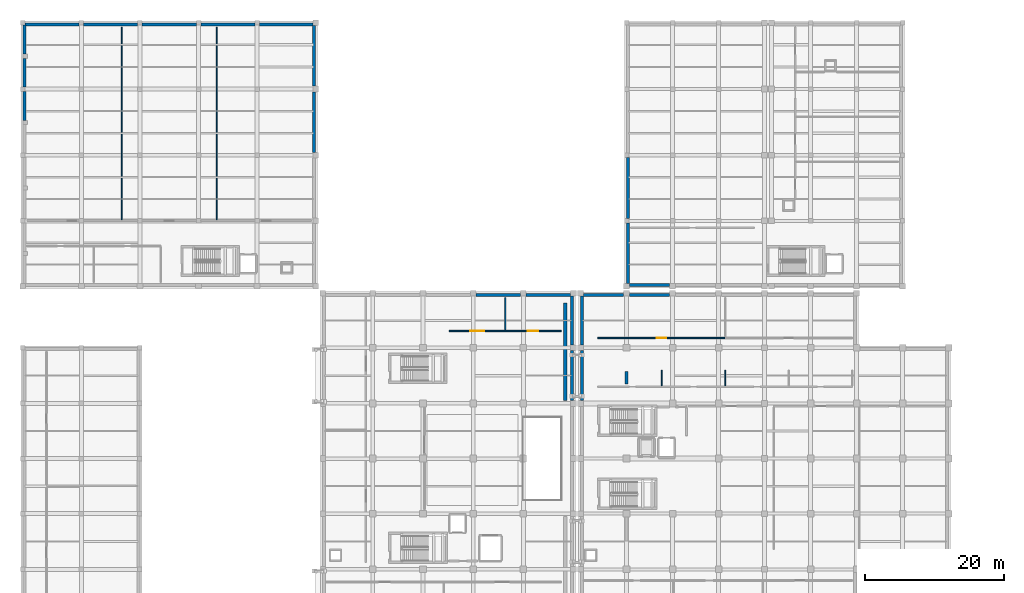
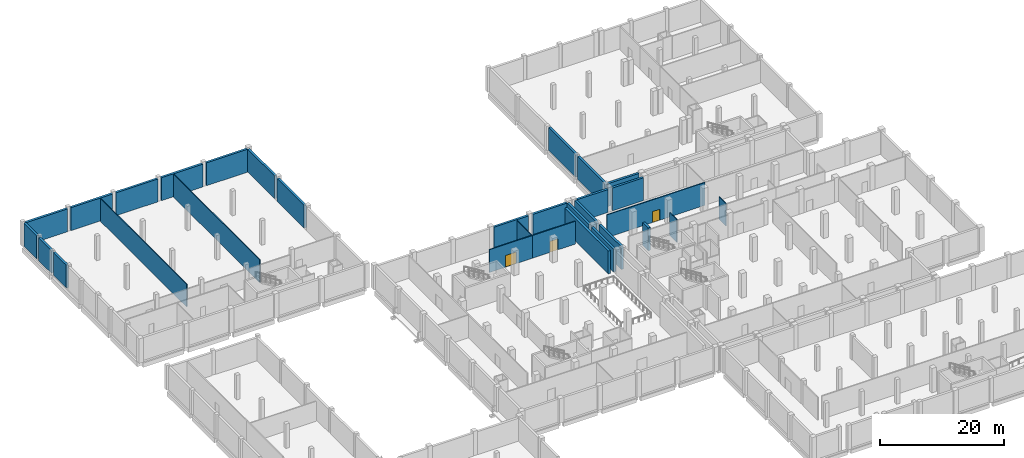
# One storey, part 17 of 31: 31 walls, 3 doors, 3 openings.
"""IFC4 building model written with IfcOpenShell, lengths in metres."""

from ifc_helpers import new_model, si_unit, direction, frame, frame_2d, origin, place, context, subcontext, project, spatial, rectangle, extrude, material, layer, layer_set, type_object, element, fill, save


model = new_model("IFC4")

# Units and contexts
model_context = context("Model", 3, precision=1e-05, world=origin(), true_north=direction((0.0, 1.0)))
body_context = subcontext(model_context, "Body", "Model", "MODEL_VIEW")
ifc_project = project(units=[si_unit("LENGTHUNIT", "METRE"), si_unit("AREAUNIT", "SQUARE_METRE"), si_unit("VOLUMEUNIT", "CUBIC_METRE"), si_unit("PLANEANGLEUNIT", "RADIAN"), si_unit("MASSUNIT", "GRAM", prefix="KILO")], contexts=[model_context])

# Site, building, storey
site_placement = place(None, origin())
site = spatial("IfcSite", under=ifc_project, at=site_placement, CompositionType="ELEMENT")
building_placement = place(site_placement, origin())
building = spatial("IfcBuilding", under=site, at=building_placement, Name="Kelarvand Opera House", CompositionType="ELEMENT")
storey_placement = place(building_placement, frame((0.0, 0.0, -4.800048828125)))
storey = spatial("IfcBuildingStorey", under=building, at=storey_placement, Name="B1", CompositionType="ELEMENT", Elevation=-4.800048828125)

# Walls
ifc_material_1 = material(Name="Concrete C40/50", Category="concrete")
ifc_layer_1 = layer(ifc_material_1, 0.449951171875, Name="Concrete C40/50", Category="concrete")
ifc_layer_set_1 = layer_set([ifc_layer_1], Name="Concrete C40/50")
wall_type_1 = type_object("IfcWallType", Name="Acoustic Proscenium Shear Wall 450", PredefinedType="SHEAR", material=ifc_layer_set_1)
wall_1_placement = place(storey_placement, frame((86.800048828125, 70.800048828125, 0.0), z_axis=(0.0, 0.0, 1.0), x_axis=(0.0, 1.0, 0.0)))
element("IfcWall", 1, at=wall_1_placement, inside=storey, type_object=wall_type_1, Name="V2 Shear Wall PW-120 B1", PredefinedType="SHEAR", context=body_context, shape_type="SweptSolid", body=[
    extrude(rectangle(XDim=14.0, YDim=0.449951171875, at=frame_2d((7.0, 0.0))), origin(), (0.0, 0.0, 1.0), 4.47998046875),
])
ifc_material_2 = material(Name="Acoustic double-stud gypsum partition")
ifc_layer_2 = layer(ifc_material_2, 0.14990234375, Name="Acoustic double-stud gypsum partition")
ifc_layer_set_2 = layer_set([ifc_layer_2], Name="Acoustic double-stud gypsum partition")
wall_type_2 = type_object("IfcWallType", Name="Acoustic Room Partition Wall 150", PredefinedType="PARTITIONING", material=ifc_layer_set_2)
for number, where, z_axis, x_axis, name in (
    (2, (100.625, 72.93994140625, 0.0), (0.0, 0.0, 1.0), (0.0, 1.0, 0.0), "V1 B1 Partition Wall IW-150 (154)"),
    (3, (109.75, 72.93994140625, 0.0), (0.0, 0.0, 1.0), (0.0, 1.0, 0.0), "V1 B1 Partition Wall IW-150 (156)"),
):
    element("IfcWall", number, at=place(storey_placement, frame(where, z_axis=z_axis, x_axis=x_axis)), inside=storey, type_object=wall_type_2, Name=name, PredefinedType="PARTITIONING", context=body_context, shape_type="SweptSolid", body=[
        extrude(rectangle(XDim=2.260009765625, YDim=0.14990234375, at=frame_2d((1.1298828125, 0.0))), origin(), (0.0, 0.0, 1.0), 4.47216796875),
    ])
wall_2_placement = place(storey_placement, frame((78.199951171875, 80.93994140625, 0.0), z_axis=(0.0, 0.0, 1.0), x_axis=(0.0, 1.0, 0.0)))
element("IfcWall", 4, at=wall_2_placement, inside=storey, type_object=wall_type_2, Name="V2 B1 Partition Wall IW-150 (175)", PredefinedType="PARTITIONING", context=body_context, shape_type="SweptSolid", body=[
    extrude(rectangle(XDim=4.66015625, YDim=0.14990234375, at=frame_2d((2.330078125, 0.0))), origin(), (0.0, 0.0, 1.0), 4.47216796875),
])
for number, where, z_axis, x_axis, name in (
    (5, (23.199951171875, 96.739990234375, 0.0), (0.0, 0.0, 1.0), (0.0, 1.0, 0.0), "V3 B1 Partition Wall IW-150 (182)"),
    (6, (36.800048828125, 96.739990234375, 0.0), (0.0, 0.0, 1.0), (0.0, 1.0, 0.0), "V3 B1 Partition Wall IW-150 (186)"),
):
    element("IfcWall", number, at=place(storey_placement, frame(where, z_axis=z_axis, x_axis=x_axis)), inside=storey, type_object=wall_type_2, Name=name, PredefinedType="PARTITIONING", context=body_context, shape_type="SweptSolid", body=[
        extrude(rectangle(XDim=27.659912109375, YDim=0.14990234375, at=frame_2d((13.830078125, 0.0))), origin(), (0.0, 0.0, 1.0), 4.491943359375),
    ])
ifc_material_3 = material(Name="Concrete C35/45", Category="concrete")
ifc_layer_3 = layer(ifc_material_3, 0.419921875, Name="Concrete C35/45", Category="concrete")
ifc_layer_set_3 = layer_set([ifc_layer_3], Name="Concrete C35/45")
wall_type_3 = type_object("IfcWallType", Name="Basement Perimeter Retaining Wall 420", PredefinedType="SHEAR", material=ifc_layer_set_3)
wall_3_placement = place(storey_placement, frame((89.2099609375, 70.81005859375, 0.0), z_axis=(0.0, 0.0, 1.0), x_axis=(0.0, 1.0, 0.0)))
element("IfcWall", 7, at=wall_3_placement, inside=storey, type_object=wall_type_3, Name="V1 B1 Retaining Wall 39", PredefinedType="SHEAR", context=body_context, shape_type="SweptSolid", body=[
    extrude(rectangle(XDim=7.179931640625, YDim=0.419921875, at=frame_2d((3.58984375, 0.0))), origin(), (0.0, 0.0, 1.0), 4.5),
])
wall_4_placement = place(storey_placement, frame((89.2099609375, 78.81005859375, 0.0), z_axis=(0.0, 0.0, 1.0), x_axis=(0.0, 1.0, 0.0)))
element("IfcWall", 8, at=wall_4_placement, inside=storey, type_object=wall_type_3, Name="V1 B1 Retaining Wall 40", PredefinedType="SHEAR", context=body_context, shape_type="SweptSolid", body=[
    extrude(rectangle(XDim=6.97998046875, YDim=0.419921875, at=frame_2d((3.489990234375, 0.0))), origin(), (0.0, 0.0, 1.0), 4.5),
])
for number, where, z_axis, x_axis, name in (
    (9, (89.409912109375, 85.989990234375, 0.0), (0.0, 0.0, 1.0), (1.0, 0.0, 0.0), "V1 B1 Retaining Wall 41"),
    (10, (96.010009765625, 85.989990234375, 0.0), (0.0, 0.0, 1.0), (1.0, 0.0, 0.0), "V1 B1 Retaining Wall 42"),
):
    element("IfcWall", number, at=place(storey_placement, frame(where, z_axis=z_axis, x_axis=x_axis)), inside=storey, type_object=wall_type_3, Name=name, PredefinedType="SHEAR", context=body_context, shape_type="SweptSolid", body=[
        extrude(rectangle(XDim=5.780029296875, YDim=0.419921875, at=frame_2d((2.89013671875, 0.0))), origin(), (0.0, 0.0, 1.0), 4.5),
    ])
wall_5_placement = place(storey_placement, frame((87.7900390625, 85.7900390625, 0.0), z_axis=(0.0, 0.0, 1.0), x_axis=(0.0, -1.0, 0.0)))
element("IfcWall", 11, at=wall_5_placement, inside=storey, type_object=wall_type_3, Name="V2 B1 Retaining Wall 198", PredefinedType="SHEAR", context=body_context, shape_type="SweptSolid", body=[
    extrude(rectangle(XDim=6.97998046875, YDim=0.419921875, at=frame_2d((3.489990234375, 0.0))), origin(), (0.0, 0.0, 1.0), 4.5),
])
wall_6_placement = place(storey_placement, frame((87.7900390625, 77.989990234375, 0.0), z_axis=(0.0, 0.0, 1.0), x_axis=(0.0, -1.0, 0.0)))
element("IfcWall", 12, at=wall_6_placement, inside=storey, type_object=wall_type_3, Name="V2 B1 Retaining Wall 199", PredefinedType="SHEAR", context=body_context, shape_type="SweptSolid", body=[
    extrude(rectangle(XDim=7.179931640625, YDim=0.419921875, at=frame_2d((3.58984375, 0.0))), origin(), (0.0, 0.0, 1.0), 4.5),
])
wall_7_placement = place(storey_placement, frame((74.010009765625, 85.989990234375, 0.0), z_axis=(0.0, 0.0, 1.0), x_axis=(1.0, 0.0, 0.0)))
element("IfcWall", 13, at=wall_7_placement, inside=storey, type_object=wall_type_3, Name="V2 B1 Retaining Wall 207", PredefinedType="SHEAR", context=body_context, shape_type="SweptSolid", body=[
    extrude(rectangle(XDim=6.3798828125, YDim=0.419921875, at=frame_2d((3.18994140625, 0.0))), origin(), (0.0, 0.0, 1.0), 4.5),
])
wall_8_placement = place(storey_placement, frame((81.2099609375, 85.989990234375, 0.0), z_axis=(0.0, 0.0, 1.0), x_axis=(1.0, 0.0, 0.0)))
element("IfcWall", 14, at=wall_8_placement, inside=storey, type_object=wall_type_3, Name="V2 B1 Retaining Wall 208", PredefinedType="SHEAR", context=body_context, shape_type="SweptSolid", body=[
    extrude(rectangle(XDim=6.380126953125, YDim=0.419921875, at=frame_2d((3.18994140625, 0.0))), origin(), (0.0, 0.0, 1.0), 4.5),
])
for number, where, z_axis, x_axis, name in (
    (15, (50.7900390625, 124.590087890625, 0.0), (0.0, 0.0, 1.0), (0.0, -1.0, 0.0), "V3 B1 Retaining Wall 369"),
    (16, (50.7900390625, 115.090087890625, 0.0), (0.0, 0.0, 1.0), (0.0, -1.0, 0.0), "V3 B1 Retaining Wall 370"),
):
    element("IfcWall", number, at=place(storey_placement, frame(where, z_axis=z_axis, x_axis=x_axis)), inside=storey, type_object=wall_type_3, Name=name, PredefinedType="SHEAR", context=body_context, shape_type="SweptSolid", body=[
        extrude(rectangle(XDim=8.68017578125, YDim=0.419921875, at=frame_2d((4.340087890625, 0.0))), origin(), (0.0, 0.0, 1.0), 4.5),
    ])
for number, where, z_axis, x_axis, name in (
    (17, (9.324951171875, 124.7900390625, 0.0), (0.0, 0.0, 1.0), (1.0, 0.0, 0.0), "V3 B1 Retaining Wall 373"),
    (18, (17.72509765625, 124.7900390625, 0.0), (0.0, 0.0, 1.0), (1.0, 0.0, 0.0), "V3 B1 Retaining Wall 374"),
    (19, (26.125, 124.7900390625, 0.0), (0.0, 0.0, 1.0), (1.0, 0.0, 0.0), "V3 B1 Retaining Wall 375"),
    (20, (34.52490234375, 124.7900390625, 0.0), (0.0, 0.0, 1.0), (1.0, 0.0, 0.0), "V3 B1 Retaining Wall 376"),
):
    element("IfcWall", number, at=place(storey_placement, frame(where, z_axis=z_axis, x_axis=x_axis)), inside=storey, type_object=wall_type_3, Name=name, PredefinedType="SHEAR", context=body_context, shape_type="SweptSolid", body=[
        extrude(rectangle(XDim=7.75, YDim=0.419921875, at=frame_2d((3.875, 0.0))), origin(), (0.0, 0.0, 1.0), 4.5),
    ])
wall_9_placement = place(storey_placement, frame((42.925048828125, 124.7900390625, 0.0), z_axis=(0.0, 0.0, 1.0), x_axis=(1.0, 0.0, 0.0)))
element("IfcWall", 21, at=wall_9_placement, inside=storey, type_object=wall_type_3, Name="V3 B1 Retaining Wall 377", PredefinedType="SHEAR", context=body_context, shape_type="SweptSolid", body=[
    extrude(rectangle(XDim=7.6650390625, YDim=0.419921875, at=frame_2d((3.83251953125, 0.0))), origin(), (0.0, 0.0, 1.0), 4.5),
])
wall_10_placement = place(storey_placement, frame((9.2099609375, 111.0, 0.0), z_axis=(0.0, 0.0, 1.0), x_axis=(0.0, 1.0, 0.0)))
element("IfcWall", 22, at=wall_10_placement, inside=storey, type_object=wall_type_3, Name="V3 B1 Retaining Wall 383", PredefinedType="SHEAR", context=body_context, shape_type="SweptSolid", body=[
    extrude(rectangle(XDim=4.175048828125, YDim=0.419921875, at=frame_2d((2.08740234375, 0.0))), origin(), (0.0, 0.0, 1.0), 4.5),
])
wall_11_placement = place(storey_placement, frame((9.2099609375, 115.824951171875, 0.0), z_axis=(0.0, 0.0, 1.0), x_axis=(0.0, 1.0, 0.0)))
element("IfcWall", 23, at=wall_11_placement, inside=storey, type_object=wall_type_3, Name="V3 B1 Retaining Wall 384", PredefinedType="SHEAR", context=body_context, shape_type="SweptSolid", body=[
    extrude(rectangle(XDim=4.074951171875, YDim=0.419921875, at=frame_2d((2.03759765625, 0.0))), origin(), (0.0, 0.0, 1.0), 4.5),
])
wall_12_placement = place(storey_placement, frame((9.2099609375, 120.5, 0.0), z_axis=(0.0, 0.0, 1.0), x_axis=(0.0, 1.0, 0.0)))
element("IfcWall", 24, at=wall_12_placement, inside=storey, type_object=wall_type_3, Name="V3 B1 Retaining Wall 385", PredefinedType="SHEAR", context=body_context, shape_type="SweptSolid", body=[
    extrude(rectangle(XDim=4.175048828125, YDim=0.419921875, at=frame_2d((2.08740234375, 0.0))), origin(), (0.0, 0.0, 1.0), 4.5),
])
wall_13_placement = place(storey_placement, frame((95.81005859375, 87.610107421875, 0.0), z_axis=(0.0, 0.0, 1.0), x_axis=(0.0, 1.0, 0.0)))
element("IfcWall", 25, at=wall_13_placement, inside=storey, type_object=wall_type_3, Name="V5 B1 Retaining Wall 585", PredefinedType="SHEAR", context=body_context, shape_type="SweptSolid", body=[
    extrude(rectangle(XDim=8.664794921875, YDim=0.419921875, at=frame_2d((4.33251953125, 0.0))), origin(), (0.0, 0.0, 1.0), 4.5),
])
wall_14_placement = place(storey_placement, frame((95.81005859375, 96.925048828125, 0.0), z_axis=(0.0, 0.0, 1.0), x_axis=(0.0, 1.0, 0.0)))
element("IfcWall", 26, at=wall_14_placement, inside=storey, type_object=wall_type_3, Name="V5 B1 Retaining Wall 586", PredefinedType="SHEAR", context=body_context, shape_type="SweptSolid", body=[
    extrude(rectangle(XDim=8.75, YDim=0.419921875, at=frame_2d((4.375, 0.0))), origin(), (0.0, 0.0, 1.0), 4.5),
])
wall_15_placement = place(storey_placement, frame((101.7900390625, 87.409912109375, 0.0), z_axis=(0.0, 0.0, 1.0), x_axis=(-1.0, 0.0, 0.0)))
element("IfcWall", 27, at=wall_15_placement, inside=storey, type_object=wall_type_3, Name="V5 B1 Retaining Wall 594", PredefinedType="SHEAR", context=body_context, shape_type="SweptSolid", body=[
    extrude(rectangle(XDim=5.780029296875, YDim=0.419921875, at=frame_2d((2.89013671875, 0.0))), origin(), (0.0, 0.0, 1.0), 4.5),
])

# Wall, opening, door
ifc_layer_4 = layer(ifc_material_3, 0.179931640625, Name="Concrete C35/45", Category="concrete")
ifc_layer_set_4 = layer_set([ifc_layer_4], Name="Concrete C35/45")
wall_type_4 = type_object("IfcWallType", Name="Corridor Fire-Rated Partition Wall 180 EI90", PredefinedType="PARTITIONING", material=ifc_layer_set_4)
wall_16_placement = place(storey_placement, frame((91.5, 79.800048828125, 0.0), z_axis=(0.0, 0.0, 1.0), x_axis=(1.0, 0.0, 0.0)))
wall_16 = element("IfcWall", 28, at=wall_16_placement, inside=storey, type_object=wall_type_4, Name="V1 B1 Partition Wall IW-90 (166)", PredefinedType="PARTITIONING", context=body_context, shape_type="SweptSolid", body=[
    extrude(rectangle(XDim=18.25, YDim=0.179931640625, at=frame_2d((9.125, 0.0))), origin(), (0.0, 0.0, 1.0), 4.47216796875),
])
opening_1_placement = place(wall_16_placement, frame((8.449951171875, 0.0, 0.0)))
opening_1 = element("IfcOpeningElement", 29, at=opening_1_placement, cuts=wall_16, Name="Opening D-12", PredefinedType="OPENING", context=body_context, shape_type="SweptSolid", body=[
    extrude(rectangle(XDim=1.35009765625, YDim=2.159912109375, at=frame_2d((0.675048828125, 1.080078125))), frame((0.0, 0.10009765625, 0.0), z_axis=(0.0, -1.0, 0.0), x_axis=(1.0, 0.0, 0.0)), (0.0, 0.0, 1.0), 0.199951171875),
])
ifc_material_4 = material(Name="Acoustic walnut-veneered hardwood", Category="wood")
door_type_1 = type_object("IfcDoorType", Name="Wardrobe Studio Leaf-and-Half Door 1350x2160", OperationType="NOTDEFINED", PredefinedType="DOOR", material=ifc_material_4)
door_1_placement = place(opening_1_placement, origin())
door_1 = element("IfcDoor", 30, at=door_1_placement, inside=storey, type_object=door_type_1, Name="V1 B1 Door D-12 (68)", OperationType="SINGLE_SWING_LEFT", OverallHeight=2.159912109375, OverallWidth=1.35009765625, PredefinedType="DOOR", context=body_context, shape_type="SweptSolid", body=[
    extrude(rectangle(XDim=1.35009765625, YDim=2.159912109375, at=frame_2d((0.675048828125, 1.080078125))), frame((0.0, 0.02490234375, 0.0), z_axis=(0.0, -1.0, 0.0), x_axis=(1.0, 0.0, 0.0)), (0.0, 0.0, 1.0), 0.050048828125),
])
fill(opening_1, door_1)

wall_17_placement = place(storey_placement, frame((70.199951171875, 80.800048828125, 0.0), z_axis=(0.0, 0.0, 1.0), x_axis=(1.0, 0.0, 0.0)))
wall_17 = element("IfcWall", 31, at=wall_17_placement, inside=storey, type_object=wall_type_4, Name="V2 B1 Partition Wall IW-90 (174)", PredefinedType="PARTITIONING", context=body_context, shape_type="SweptSolid", body=[
    extrude(rectangle(XDim=8.0, YDim=0.179931640625, at=frame_2d((4.0, 0.0))), origin(), (0.0, 0.0, 1.0), 4.47216796875),
])
opening_2_placement = place(wall_17_placement, frame((3.0, 0.0, 0.0)))
opening_2 = element("IfcOpeningElement", 32, at=opening_2_placement, cuts=wall_17, Name="Opening D-17", PredefinedType="OPENING", context=body_context, shape_type="SweptSolid", body=[
    extrude(rectangle(XDim=2.0, YDim=2.280029296875, at=frame_2d((1.0, 1.14013671875))), frame((0.0, 0.10009765625, 0.0), z_axis=(0.0, -1.0, 0.0), x_axis=(1.0, 0.0, 0.0)), (0.0, 0.0, 1.0), 0.199951171875),
])
door_type_2 = type_object("IfcDoorType", Name="Workshop Scenery Double Door 2000x2280", OperationType="NOTDEFINED", PredefinedType="DOOR", material=ifc_material_4)
door_2_placement = place(opening_2_placement, origin())
door_2 = element("IfcDoor", 33, at=door_2_placement, inside=storey, type_object=door_type_2, Name="V2 B1 Door D-17 (73)", OperationType="DOUBLE_DOOR_SINGLE_SWING", OverallHeight=2.280029296875, OverallWidth=2.0, PredefinedType="DOOR", context=body_context, shape_type="SweptSolid", body=[
    extrude(rectangle(XDim=2.0, YDim=2.280029296875, at=frame_2d((1.0, 1.14013671875))), frame((0.0, 0.02490234375, 0.0), z_axis=(0.0, -1.0, 0.0), x_axis=(1.0, 0.0, 0.0)), (0.0, 0.0, 1.0), 0.050048828125),
])
fill(opening_2, door_2)

wall_18_placement = place(storey_placement, frame((78.199951171875, 80.800048828125, 0.0), z_axis=(0.0, 0.0, 1.0), x_axis=(1.0, 0.0, 0.0)))
wall_18 = element("IfcWall", 34, at=wall_18_placement, inside=storey, type_object=wall_type_4, Name="V2 B1 Partition Wall IW-90 (176)", PredefinedType="PARTITIONING", context=body_context, shape_type="SweptSolid", body=[
    extrude(rectangle(XDim=8.0, YDim=0.179931640625, at=frame_2d((4.0, 0.0))), origin(), (0.0, 0.0, 1.0), 4.47216796875),
])
opening_3_placement = place(wall_18_placement, frame((3.260009765625, 0.0, 0.0)))
opening_3 = element("IfcOpeningElement", 35, at=opening_3_placement, cuts=wall_18, Name="Opening D-13", PredefinedType="OPENING", context=body_context, shape_type="SweptSolid", body=[
    extrude(rectangle(XDim=1.47998046875, YDim=2.179931640625, at=frame_2d((0.739990234375, 1.08984375))), frame((0.0, 0.10009765625, 0.0), z_axis=(0.0, -1.0, 0.0), x_axis=(1.0, 0.0, 0.0)), (0.0, 0.0, 1.0), 0.199951171875),
])
door_type_3 = type_object("IfcDoorType", Name="Academy Recital Double Door 1480x2180", OperationType="NOTDEFINED", PredefinedType="DOOR", material=ifc_material_4)
door_3_placement = place(opening_3_placement, origin())
door_3 = element("IfcDoor", 36, at=door_3_placement, inside=storey, type_object=door_type_3, Name="V2 B1 Door D-13 (74)", OperationType="DOUBLE_DOOR_SINGLE_SWING", OverallHeight=2.179931640625, OverallWidth=1.47998046875, PredefinedType="DOOR", context=body_context, shape_type="SweptSolid", body=[
    extrude(rectangle(XDim=1.47998046875, YDim=2.179931640625, at=frame_2d((0.739990234375, 1.08984375))), frame((0.0, 0.02490234375, 0.0), z_axis=(0.0, -1.0, 0.0), x_axis=(1.0, 0.0, 0.0)), (0.0, 0.0, 1.0), 0.050048828125),
])
fill(opening_3, door_3)

# Wall
ifc_layer_5 = layer(ifc_material_1, 0.39990234375, Name="Concrete C40/50", Category="concrete")
ifc_layer_set_5 = layer_set([ifc_layer_5], Name="Concrete C40/50")
wall_type_5 = type_object("IfcWallType", Name="Seismic Compartment Shear Wall 400", PredefinedType="SHEAR", material=ifc_layer_set_5)
wall_19_placement = place(storey_placement, frame((95.60009765625, 73.199951171875, 0.0), z_axis=(0.0, 0.0, 1.0), x_axis=(0.0, 1.0, 0.0)))
element("IfcWall", 37, at=wall_19_placement, inside=storey, type_object=wall_type_5, Name="V1 Shear Wall CW-120 B1", PredefinedType="SHEAR", context=body_context, shape_type="SweptSolid", body=[
    extrude(rectangle(XDim=1.800048828125, YDim=0.39990234375, at=frame_2d((0.89990234375, 0.0))), origin(), (0.0, 0.0, 1.0), 4.47998046875),
])

save(model, "model.ifc")
